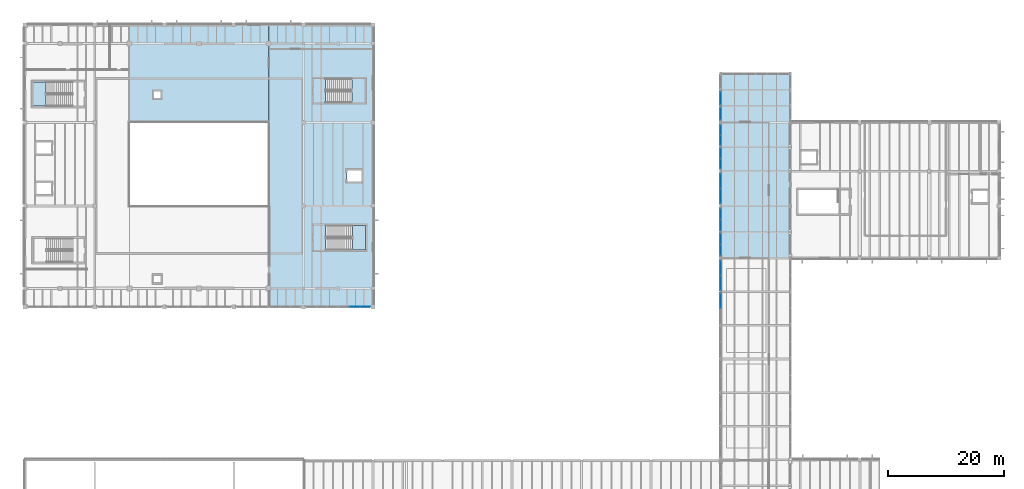
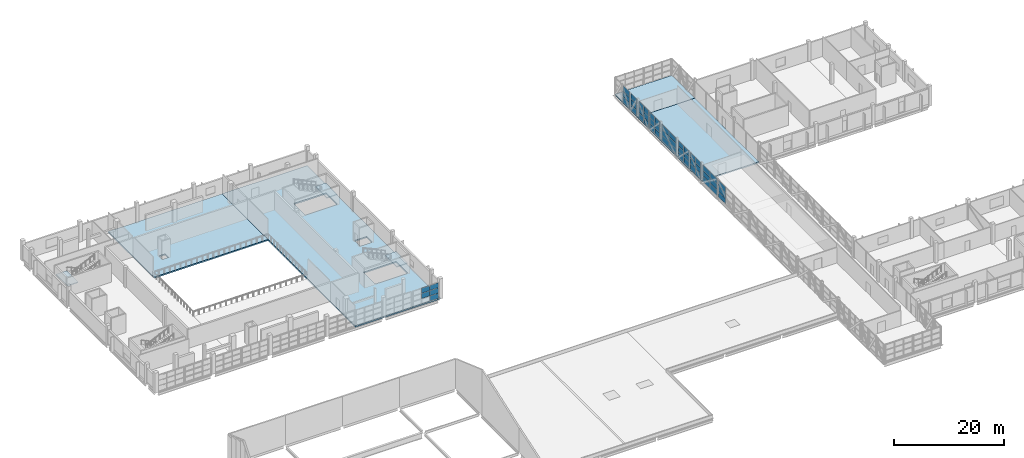
# One storey, part 42 of 63: 50 plates, 7 slabs, 13 elements without a shape of their own.
"""IFC4 building model written with IfcOpenShell, lengths in metres."""

from ifc_helpers import new_model, si_unit, direction, frame, origin, origin_2d, place, context, subcontext, project, spatial, polyline, rectangle, outline, extrude, material, layer, layer_set, type_object, element, aggregate, save


model = new_model("IFC4")

# Units and contexts
model_context = context("Model", 3, precision=1e-05, world=origin(), true_north=direction((0.0, 1.0)))
body_context = subcontext(model_context, "Body", "Model", "MODEL_VIEW")
ifc_project = project(units=[si_unit("LENGTHUNIT", "METRE"), si_unit("AREAUNIT", "SQUARE_METRE"), si_unit("VOLUMEUNIT", "CUBIC_METRE"), si_unit("PLANEANGLEUNIT", "RADIAN"), si_unit("MASSUNIT", "GRAM", prefix="KILO")], contexts=[model_context])

# Site, building, storey
site_placement = place(None, origin())
site = spatial("IfcSite", under=ifc_project, at=site_placement, CompositionType="ELEMENT")
building_placement = place(site_placement, origin())
building = spatial("IfcBuilding", under=site, at=building_placement, Name="Kelmvaro Bay Concert Hall", CompositionType="ELEMENT")
storey_placement = place(building_placement, frame((0.0, 0.0, 13.800048828125)))
storey = spatial("IfcBuildingStorey", under=building, at=storey_placement, Name="L03", CompositionType="ELEMENT", Elevation=13.800048828125)

# Slabs
ifc_material_1 = material(Name="Concrete C40/50", Category="concrete")
ifc_layer_1 = layer(ifc_material_1, 0.300048828125)
ifc_layer_set_1 = layer_set([ifc_layer_1], Name="Concrete C40/50")
slab_type_1 = type_object("IfcSlabType", Name="Auditorium Tier Structural Slab 300", PredefinedType="FLOOR", material=ifc_layer_set_1)
slab_1_placement = place(storey_placement, frame((0.0, 0.0, -0.300048828125)))
element("IfcSlab", 1, at=slab_1_placement, inside=storey, type_object=slab_type_1, Name="L03 Structural Slab V1-N", PredefinedType="FLOOR", context=body_context, shape_type="SweptSolid", body=[
    extrude(outline(polyline([(18.0, 97.199951171875), (42.0, 97.199951171875), (42.0, 114.0), (18.0, 114.0), (18.0, 97.199951171875)]), holes=[polyline([(22.199951171875, 101.39990234375), (23.39990234375, 101.39990234375), (23.39990234375, 102.60009765625), (22.199951171875, 102.60009765625), (22.199951171875, 101.39990234375)])]), origin(), (0.0, 0.0, 1.0), 0.300048828125),
])
slab_2_placement = place(storey_placement, frame((0.0, 0.0, -0.300048828125)))
element("IfcSlab", 2, at=slab_2_placement, inside=storey, type_object=slab_type_1, Name="L03 Structural Slab V1-E", PredefinedType="FLOOR", context=body_context, shape_type="SweptSolid", body=[
    extrude(outline(polyline([(42.0, 65.39990234375), (60.0, 65.39990234375), (60.0, 114.0), (42.0, 114.0), (42.0, 65.39990234375)]), holes=[polyline([(51.800537109375, 100.6005859375), (58.599365234375, 100.6005859375), (58.599365234375, 104.74951171875), (51.800537109375, 104.74951171875), (51.800537109375, 100.6005859375)]), polyline([(51.8505859375, 75.20068359375), (58.74951171875, 75.20068359375), (58.74951171875, 79.449462890625), (51.8505859375, 79.449462890625), (51.8505859375, 75.20068359375)]), polyline([(55.52490234375, 87.0), (58.074951171875, 87.0), (58.074951171875, 89.0), (55.52490234375, 89.0), (55.52490234375, 87.0)])]), origin(), (0.0, 0.0, 1.0), 0.300048828125),
])
ifc_material_2 = material(Name="Concrete C40/50", Category="concrete")
ifc_layer_2 = layer(ifc_material_2, 0.2900390625)
ifc_layer_set_2 = layer_set([ifc_layer_2], Name="Concrete C40/50")
slab_type_2 = type_object("IfcSlabType", Name="Bridge Composite Deck Slab 290", PredefinedType="FLOOR", material=ifc_layer_set_2)
slab_3_placement = place(storey_placement, frame((0.0, 0.0, -0.2900390625)))
element("IfcSlab", 3, at=slab_3_placement, inside=storey, type_object=slab_type_2, Name="L03 Structural Slab BRG-N1", PredefinedType="FLOOR", context=body_context, shape_type="SweptSolid", body=[
    extrude(outline(polyline([(120.0, 73.800048828125), (132.0, 73.800048828125), (132.0, 97.199951171875), (120.0, 97.199951171875), (120.0, 73.800048828125)])), origin(), (0.0, 0.0, 1.0), 0.2900390625),
])
slab_4_placement = place(storey_placement, frame((0.0, 0.0, -0.2900390625)))
element("IfcSlab", 4, at=slab_4_placement, inside=storey, type_object=slab_type_2, Name="L03 Structural Slab BRG-NC", PredefinedType="FLOOR", context=body_context, shape_type="SweptSolid", body=[
    extrude(outline(polyline([(120.0, 97.199951171875), (132.0, 97.199951171875), (132.0, 105.60009765625), (120.0, 105.60009765625), (120.0, 97.199951171875)])), origin(), (0.0, 0.0, 1.0), 0.2900390625),
])

# Curtain wall, plates
ifc_material_3 = material(Name="Anodised Aluminium and Low-E Insulated Glazing", Category="aluminium")
curtain_wall_type_1 = type_object("IfcCurtainWallType", Name="Rehearsal Bridge Truss Curtain Wall 4020", PredefinedType="USERDEFINED", material=ifc_material_3)
curtain_wall_1_placement = place(storey_placement, origin())
curtain_wall_1 = element("IfcCurtainWall", 5, at=curtain_wall_1_placement, inside=storey, type_object=curtain_wall_type_1, Name="Unitised Curtain Wall CW-BRG-W13", ObjectType="UNITISED GLAZING", PredefinedType="USERDEFINED")
ifc_material_4 = material(Name="Laminated Low-E Insulated Glass", Category="glass")
ifc_layer_3 = layer(ifc_material_4, 1.85009765625)
ifc_layer_set_3 = layer_set([ifc_layer_3], Name="Laminated Low-E Insulated Glass")
plate_type_1 = type_object("IfcPlateType", Name="Bridge Truss Acoustic Glazing Panel 44", PredefinedType="CURTAIN_PANEL", material=ifc_layer_set_3)
plate_1_placement = place(storey_placement, frame((120.0, 66.43994140625, 0.032470703125), z_axis=(0.0, 0.0, 1.0), x_axis=(0.0, 1.0, 0.0)))
plate_1 = element("IfcPlate", 6, at=plate_1_placement, type_object=plate_type_1, Name="CW-BRG-W13 Insulated Glazing Panel 02-1", PredefinedType="CURTAIN_PANEL", context=body_context, shape_type="SweptSolid", body=[
    extrude(rectangle(XDim=2.614990234375, YDim=0.0439453125, at=origin_2d()), origin(), (0.0, 0.0, 1.0), 1.20166015625),
])
plate_2_placement = place(storey_placement, frame((120.0, 66.43994140625, 1.299072265625), z_axis=(0.0, 0.0, 1.0), x_axis=(0.0, 1.0, 0.0)))
plate_2 = element("IfcPlate", 7, at=plate_2_placement, type_object=plate_type_1, Name="CW-BRG-W13 Insulated Glazing Panel 02-2", PredefinedType="CURTAIN_PANEL", context=body_context, shape_type="SweptSolid", body=[
    extrude(rectangle(XDim=2.614990234375, YDim=0.0439453125, at=origin_2d()), origin(), (0.0, 0.0, 1.0), 1.20166015625),
])
plate_3_placement = place(storey_placement, frame((120.0, 66.43994140625, 2.56591796875), z_axis=(0.0, 0.0, 1.0), x_axis=(0.0, 1.0, 0.0)))
plate_3 = element("IfcPlate", 8, at=plate_3_placement, type_object=plate_type_1, Name="CW-BRG-W13 Insulated Glazing Panel 02-3", PredefinedType="CURTAIN_PANEL", context=body_context, shape_type="SweptSolid", body=[
    extrude(rectangle(XDim=2.614990234375, YDim=0.0439453125, at=origin_2d()), origin(), (0.0, 0.0, 1.0), 1.20166015625),
])
aggregate(curtain_wall_1, [plate_1, plate_2, plate_3])

curtain_wall_2_placement = place(storey_placement, origin())
curtain_wall_2 = element("IfcCurtainWall", 9, at=curtain_wall_2_placement, inside=storey, type_object=curtain_wall_type_1, Name="Unitised Curtain Wall CW-BRG-W14", ObjectType="UNITISED GLAZING", PredefinedType="USERDEFINED")
plate_4_placement = place(storey_placement, frame((120.0, 69.510009765625, 0.032470703125), z_axis=(0.0, 0.0, 1.0), x_axis=(0.0, 1.0, 0.0)))
plate_4 = element("IfcPlate", 10, at=plate_4_placement, type_object=plate_type_1, Name="CW-BRG-W14 Insulated Glazing Panel 01-1", PredefinedType="CURTAIN_PANEL", context=body_context, shape_type="SweptSolid", body=[
    extrude(rectangle(XDim=2.514892578125, YDim=0.0439453125, at=origin_2d()), origin(), (0.0, 0.0, 1.0), 1.20166015625),
])
plate_5_placement = place(storey_placement, frame((120.0, 69.510009765625, 1.299072265625), z_axis=(0.0, 0.0, 1.0), x_axis=(0.0, 1.0, 0.0)))
plate_5 = element("IfcPlate", 11, at=plate_5_placement, type_object=plate_type_1, Name="CW-BRG-W14 Insulated Glazing Panel 01-2", PredefinedType="CURTAIN_PANEL", context=body_context, shape_type="SweptSolid", body=[
    extrude(rectangle(XDim=2.514892578125, YDim=0.0439453125, at=origin_2d()), origin(), (0.0, 0.0, 1.0), 1.20166015625),
])
plate_6_placement = place(storey_placement, frame((120.0, 69.510009765625, 2.56591796875), z_axis=(0.0, 0.0, 1.0), x_axis=(0.0, 1.0, 0.0)))
plate_6 = element("IfcPlate", 12, at=plate_6_placement, type_object=plate_type_1, Name="CW-BRG-W14 Insulated Glazing Panel 01-3", PredefinedType="CURTAIN_PANEL", context=body_context, shape_type="SweptSolid", body=[
    extrude(rectangle(XDim=2.514892578125, YDim=0.0439453125, at=origin_2d()), origin(), (0.0, 0.0, 1.0), 1.20166015625),
])
plate_7_placement = place(storey_placement, frame((120.0, 72.090087890625, 0.032470703125), z_axis=(0.0, 0.0, 1.0), x_axis=(0.0, 1.0, 0.0)))
plate_7 = element("IfcPlate", 13, at=plate_7_placement, type_object=plate_type_1, Name="CW-BRG-W14 Insulated Glazing Panel 02-1", PredefinedType="CURTAIN_PANEL", context=body_context, shape_type="SweptSolid", body=[
    extrude(rectangle(XDim=2.514892578125, YDim=0.0439453125, at=origin_2d()), origin(), (0.0, 0.0, 1.0), 1.20166015625),
])
plate_8_placement = place(storey_placement, frame((120.0, 72.090087890625, 1.299072265625), z_axis=(0.0, 0.0, 1.0), x_axis=(0.0, 1.0, 0.0)))
plate_8 = element("IfcPlate", 14, at=plate_8_placement, type_object=plate_type_1, Name="CW-BRG-W14 Insulated Glazing Panel 02-2", PredefinedType="CURTAIN_PANEL", context=body_context, shape_type="SweptSolid", body=[
    extrude(rectangle(XDim=2.514892578125, YDim=0.0439453125, at=origin_2d()), origin(), (0.0, 0.0, 1.0), 1.20166015625),
])
plate_9_placement = place(storey_placement, frame((120.0, 72.090087890625, 2.56591796875), z_axis=(0.0, 0.0, 1.0), x_axis=(0.0, 1.0, 0.0)))
plate_9 = element("IfcPlate", 15, at=plate_9_placement, type_object=plate_type_1, Name="CW-BRG-W14 Insulated Glazing Panel 02-3", PredefinedType="CURTAIN_PANEL", context=body_context, shape_type="SweptSolid", body=[
    extrude(rectangle(XDim=2.514892578125, YDim=0.0439453125, at=origin_2d()), origin(), (0.0, 0.0, 1.0), 1.20166015625),
])
aggregate(curtain_wall_2, [plate_4, plate_5, plate_6, plate_7, plate_8, plate_9])

curtain_wall_3_placement = place(storey_placement, origin())
curtain_wall_3 = element("IfcCurtainWall", 16, at=curtain_wall_3_placement, inside=storey, type_object=curtain_wall_type_1, Name="Unitised Curtain Wall CW-BRG-W15", ObjectType="UNITISED GLAZING", PredefinedType="USERDEFINED")
plate_10_placement = place(storey_placement, frame((120.0, 75.18505859375, 0.032470703125), z_axis=(0.0, 0.0, 1.0), x_axis=(0.0, 1.0, 0.0)))
plate_10 = element("IfcPlate", 17, at=plate_10_placement, type_object=plate_type_1, Name="CW-BRG-W15 Insulated Glazing Panel 01-1", PredefinedType="CURTAIN_PANEL", context=body_context, shape_type="SweptSolid", body=[
    extrude(rectangle(XDim=1.864990234375, YDim=0.0439453125, at=origin_2d()), origin(), (0.0, 0.0, 1.0), 1.20166015625),
])
plate_11_placement = place(storey_placement, frame((120.0, 75.18505859375, 1.299072265625), z_axis=(0.0, 0.0, 1.0), x_axis=(0.0, 1.0, 0.0)))
plate_11 = element("IfcPlate", 18, at=plate_11_placement, type_object=plate_type_1, Name="CW-BRG-W15 Insulated Glazing Panel 01-2", PredefinedType="CURTAIN_PANEL", context=body_context, shape_type="SweptSolid", body=[
    extrude(rectangle(XDim=1.864990234375, YDim=0.0439453125, at=origin_2d()), origin(), (0.0, 0.0, 1.0), 1.20166015625),
])
plate_12_placement = place(storey_placement, frame((120.0, 75.18505859375, 2.56591796875), z_axis=(0.0, 0.0, 1.0), x_axis=(0.0, 1.0, 0.0)))
plate_12 = element("IfcPlate", 19, at=plate_12_placement, type_object=plate_type_1, Name="CW-BRG-W15 Insulated Glazing Panel 01-3", PredefinedType="CURTAIN_PANEL", context=body_context, shape_type="SweptSolid", body=[
    extrude(rectangle(XDim=1.864990234375, YDim=0.0439453125, at=origin_2d()), origin(), (0.0, 0.0, 1.0), 1.20166015625),
])
plate_13_placement = place(storey_placement, frame((120.0, 77.114990234375, 0.032470703125), z_axis=(0.0, 0.0, 1.0), x_axis=(0.0, 1.0, 0.0)))
plate_13 = element("IfcPlate", 20, at=plate_13_placement, type_object=plate_type_1, Name="CW-BRG-W15 Insulated Glazing Panel 02-1", PredefinedType="CURTAIN_PANEL", context=body_context, shape_type="SweptSolid", body=[
    extrude(rectangle(XDim=1.864990234375, YDim=0.0439453125, at=origin_2d()), origin(), (0.0, 0.0, 1.0), 1.20166015625),
])
plate_14_placement = place(storey_placement, frame((120.0, 77.114990234375, 1.299072265625), z_axis=(0.0, 0.0, 1.0), x_axis=(0.0, 1.0, 0.0)))
plate_14 = element("IfcPlate", 21, at=plate_14_placement, type_object=plate_type_1, Name="CW-BRG-W15 Insulated Glazing Panel 02-2", PredefinedType="CURTAIN_PANEL", context=body_context, shape_type="SweptSolid", body=[
    extrude(rectangle(XDim=1.864990234375, YDim=0.0439453125, at=origin_2d()), origin(), (0.0, 0.0, 1.0), 1.20166015625),
])
plate_15_placement = place(storey_placement, frame((120.0, 77.114990234375, 2.56591796875), z_axis=(0.0, 0.0, 1.0), x_axis=(0.0, 1.0, 0.0)))
plate_15 = element("IfcPlate", 22, at=plate_15_placement, type_object=plate_type_1, Name="CW-BRG-W15 Insulated Glazing Panel 02-3", PredefinedType="CURTAIN_PANEL", context=body_context, shape_type="SweptSolid", body=[
    extrude(rectangle(XDim=1.864990234375, YDim=0.0439453125, at=origin_2d()), origin(), (0.0, 0.0, 1.0), 1.20166015625),
])
aggregate(curtain_wall_3, [plate_10, plate_11, plate_12, plate_13, plate_14, plate_15])

curtain_wall_4_placement = place(storey_placement, origin())
curtain_wall_4 = element("IfcCurtainWall", 23, at=curtain_wall_4_placement, inside=storey, type_object=curtain_wall_type_1, Name="Unitised Curtain Wall CW-BRG-W16", ObjectType="UNITISED GLAZING", PredefinedType="USERDEFINED")
plate_16_placement = place(storey_placement, frame((120.0, 79.485107421875, 0.032470703125), z_axis=(0.0, 0.0, 1.0), x_axis=(0.0, 1.0, 0.0)))
plate_16 = element("IfcPlate", 24, at=plate_16_placement, type_object=plate_type_1, Name="CW-BRG-W16 Insulated Glazing Panel 01-1", PredefinedType="CURTAIN_PANEL", context=body_context, shape_type="SweptSolid", body=[
    extrude(rectangle(XDim=1.864990234375, YDim=0.0439453125, at=origin_2d()), origin(), (0.0, 0.0, 1.0), 1.20166015625),
])
plate_17_placement = place(storey_placement, frame((120.0, 79.485107421875, 1.299072265625), z_axis=(0.0, 0.0, 1.0), x_axis=(0.0, 1.0, 0.0)))
plate_17 = element("IfcPlate", 25, at=plate_17_placement, type_object=plate_type_1, Name="CW-BRG-W16 Insulated Glazing Panel 01-2", PredefinedType="CURTAIN_PANEL", context=body_context, shape_type="SweptSolid", body=[
    extrude(rectangle(XDim=1.864990234375, YDim=0.0439453125, at=origin_2d()), origin(), (0.0, 0.0, 1.0), 1.20166015625),
])
plate_18_placement = place(storey_placement, frame((120.0, 79.485107421875, 2.56591796875), z_axis=(0.0, 0.0, 1.0), x_axis=(0.0, 1.0, 0.0)))
plate_18 = element("IfcPlate", 26, at=plate_18_placement, type_object=plate_type_1, Name="CW-BRG-W16 Insulated Glazing Panel 01-3", PredefinedType="CURTAIN_PANEL", context=body_context, shape_type="SweptSolid", body=[
    extrude(rectangle(XDim=1.864990234375, YDim=0.0439453125, at=origin_2d()), origin(), (0.0, 0.0, 1.0), 1.20166015625),
])
plate_19_placement = place(storey_placement, frame((120.0, 81.4150390625, 0.032470703125), z_axis=(0.0, 0.0, 1.0), x_axis=(0.0, 1.0, 0.0)))
plate_19 = element("IfcPlate", 27, at=plate_19_placement, type_object=plate_type_1, Name="CW-BRG-W16 Insulated Glazing Panel 02-1", PredefinedType="CURTAIN_PANEL", context=body_context, shape_type="SweptSolid", body=[
    extrude(rectangle(XDim=1.864990234375, YDim=0.0439453125, at=origin_2d()), origin(), (0.0, 0.0, 1.0), 1.20166015625),
])
plate_20_placement = place(storey_placement, frame((120.0, 81.4150390625, 1.299072265625), z_axis=(0.0, 0.0, 1.0), x_axis=(0.0, 1.0, 0.0)))
plate_20 = element("IfcPlate", 28, at=plate_20_placement, type_object=plate_type_1, Name="CW-BRG-W16 Insulated Glazing Panel 02-2", PredefinedType="CURTAIN_PANEL", context=body_context, shape_type="SweptSolid", body=[
    extrude(rectangle(XDim=1.864990234375, YDim=0.0439453125, at=origin_2d()), origin(), (0.0, 0.0, 1.0), 1.20166015625),
])
plate_21_placement = place(storey_placement, frame((120.0, 81.4150390625, 2.56591796875), z_axis=(0.0, 0.0, 1.0), x_axis=(0.0, 1.0, 0.0)))
plate_21 = element("IfcPlate", 29, at=plate_21_placement, type_object=plate_type_1, Name="CW-BRG-W16 Insulated Glazing Panel 02-3", PredefinedType="CURTAIN_PANEL", context=body_context, shape_type="SweptSolid", body=[
    extrude(rectangle(XDim=1.864990234375, YDim=0.0439453125, at=origin_2d()), origin(), (0.0, 0.0, 1.0), 1.20166015625),
])
aggregate(curtain_wall_4, [plate_16, plate_17, plate_18, plate_19, plate_20, plate_21])

curtain_wall_5_placement = place(storey_placement, origin())
curtain_wall_5 = element("IfcCurtainWall", 30, at=curtain_wall_5_placement, inside=storey, type_object=curtain_wall_type_1, Name="Unitised Curtain Wall CW-BRG-W17", ObjectType="UNITISED GLAZING", PredefinedType="USERDEFINED")
plate_22_placement = place(storey_placement, frame((120.0, 84.510009765625, 0.032470703125), z_axis=(0.0, 0.0, 1.0), x_axis=(0.0, 1.0, 0.0)))
plate_22 = element("IfcPlate", 31, at=plate_22_placement, type_object=plate_type_1, Name="CW-BRG-W17 Insulated Glazing Panel 01-1", PredefinedType="CURTAIN_PANEL", context=body_context, shape_type="SweptSolid", body=[
    extrude(rectangle(XDim=2.514892578125, YDim=0.0439453125, at=origin_2d()), origin(), (0.0, 0.0, 1.0), 1.20166015625),
])
plate_23_placement = place(storey_placement, frame((120.0, 84.510009765625, 1.299072265625), z_axis=(0.0, 0.0, 1.0), x_axis=(0.0, 1.0, 0.0)))
plate_23 = element("IfcPlate", 32, at=plate_23_placement, type_object=plate_type_1, Name="CW-BRG-W17 Insulated Glazing Panel 01-2", PredefinedType="CURTAIN_PANEL", context=body_context, shape_type="SweptSolid", body=[
    extrude(rectangle(XDim=2.514892578125, YDim=0.0439453125, at=origin_2d()), origin(), (0.0, 0.0, 1.0), 1.20166015625),
])
plate_24_placement = place(storey_placement, frame((120.0, 84.510009765625, 2.56591796875), z_axis=(0.0, 0.0, 1.0), x_axis=(0.0, 1.0, 0.0)))
plate_24 = element("IfcPlate", 33, at=plate_24_placement, type_object=plate_type_1, Name="CW-BRG-W17 Insulated Glazing Panel 01-3", PredefinedType="CURTAIN_PANEL", context=body_context, shape_type="SweptSolid", body=[
    extrude(rectangle(XDim=2.514892578125, YDim=0.0439453125, at=origin_2d()), origin(), (0.0, 0.0, 1.0), 1.20166015625),
])
plate_25_placement = place(storey_placement, frame((120.0, 87.090087890625, 0.032470703125), z_axis=(0.0, 0.0, 1.0), x_axis=(0.0, 1.0, 0.0)))
plate_25 = element("IfcPlate", 34, at=plate_25_placement, type_object=plate_type_1, Name="CW-BRG-W17 Insulated Glazing Panel 02-1", PredefinedType="CURTAIN_PANEL", context=body_context, shape_type="SweptSolid", body=[
    extrude(rectangle(XDim=2.514892578125, YDim=0.0439453125, at=origin_2d()), origin(), (0.0, 0.0, 1.0), 1.20166015625),
])
plate_26_placement = place(storey_placement, frame((120.0, 87.090087890625, 1.299072265625), z_axis=(0.0, 0.0, 1.0), x_axis=(0.0, 1.0, 0.0)))
plate_26 = element("IfcPlate", 35, at=plate_26_placement, type_object=plate_type_1, Name="CW-BRG-W17 Insulated Glazing Panel 02-2", PredefinedType="CURTAIN_PANEL", context=body_context, shape_type="SweptSolid", body=[
    extrude(rectangle(XDim=2.514892578125, YDim=0.0439453125, at=origin_2d()), origin(), (0.0, 0.0, 1.0), 1.20166015625),
])
plate_27_placement = place(storey_placement, frame((120.0, 87.090087890625, 2.56591796875), z_axis=(0.0, 0.0, 1.0), x_axis=(0.0, 1.0, 0.0)))
plate_27 = element("IfcPlate", 36, at=plate_27_placement, type_object=plate_type_1, Name="CW-BRG-W17 Insulated Glazing Panel 02-3", PredefinedType="CURTAIN_PANEL", context=body_context, shape_type="SweptSolid", body=[
    extrude(rectangle(XDim=2.514892578125, YDim=0.0439453125, at=origin_2d()), origin(), (0.0, 0.0, 1.0), 1.20166015625),
])
aggregate(curtain_wall_5, [plate_22, plate_23, plate_24, plate_25, plate_26, plate_27])

curtain_wall_6_placement = place(storey_placement, origin())
curtain_wall_6 = element("IfcCurtainWall", 37, at=curtain_wall_6_placement, inside=storey, type_object=curtain_wall_type_1, Name="Unitised Curtain Wall CW-BRG-W18", ObjectType="UNITISED GLAZING", PredefinedType="USERDEFINED")
plate_28_placement = place(storey_placement, frame((120.0, 90.110107421875, 0.032470703125), z_axis=(0.0, 0.0, 1.0), x_axis=(0.0, 1.0, 0.0)))
plate_28 = element("IfcPlate", 38, at=plate_28_placement, type_object=plate_type_1, Name="CW-BRG-W18 Insulated Glazing Panel 01-1", PredefinedType="CURTAIN_PANEL", context=body_context, shape_type="SweptSolid", body=[
    extrude(rectangle(XDim=1.715087890625, YDim=0.0439453125, at=origin_2d()), origin(), (0.0, 0.0, 1.0), 1.20166015625),
])
plate_29_placement = place(storey_placement, frame((120.0, 90.110107421875, 1.299072265625), z_axis=(0.0, 0.0, 1.0), x_axis=(0.0, 1.0, 0.0)))
plate_29 = element("IfcPlate", 39, at=plate_29_placement, type_object=plate_type_1, Name="CW-BRG-W18 Insulated Glazing Panel 01-2", PredefinedType="CURTAIN_PANEL", context=body_context, shape_type="SweptSolid", body=[
    extrude(rectangle(XDim=1.715087890625, YDim=0.0439453125, at=origin_2d()), origin(), (0.0, 0.0, 1.0), 1.20166015625),
])
plate_30_placement = place(storey_placement, frame((120.0, 90.110107421875, 2.56591796875), z_axis=(0.0, 0.0, 1.0), x_axis=(0.0, 1.0, 0.0)))
plate_30 = element("IfcPlate", 40, at=plate_30_placement, type_object=plate_type_1, Name="CW-BRG-W18 Insulated Glazing Panel 01-3", PredefinedType="CURTAIN_PANEL", context=body_context, shape_type="SweptSolid", body=[
    extrude(rectangle(XDim=1.715087890625, YDim=0.0439453125, at=origin_2d()), origin(), (0.0, 0.0, 1.0), 1.20166015625),
])
plate_31_placement = place(storey_placement, frame((120.0, 91.889892578125, 0.032470703125), z_axis=(0.0, 0.0, 1.0), x_axis=(0.0, 1.0, 0.0)))
plate_31 = element("IfcPlate", 41, at=plate_31_placement, type_object=plate_type_1, Name="CW-BRG-W18 Insulated Glazing Panel 02-1", PredefinedType="CURTAIN_PANEL", context=body_context, shape_type="SweptSolid", body=[
    extrude(rectangle(XDim=1.715087890625, YDim=0.0439453125, at=origin_2d()), origin(), (0.0, 0.0, 1.0), 1.20166015625),
])
plate_32_placement = place(storey_placement, frame((120.0, 91.889892578125, 1.299072265625), z_axis=(0.0, 0.0, 1.0), x_axis=(0.0, 1.0, 0.0)))
plate_32 = element("IfcPlate", 42, at=plate_32_placement, type_object=plate_type_1, Name="CW-BRG-W18 Insulated Glazing Panel 02-2", PredefinedType="CURTAIN_PANEL", context=body_context, shape_type="SweptSolid", body=[
    extrude(rectangle(XDim=1.715087890625, YDim=0.0439453125, at=origin_2d()), origin(), (0.0, 0.0, 1.0), 1.20166015625),
])
plate_33_placement = place(storey_placement, frame((120.0, 91.889892578125, 2.56591796875), z_axis=(0.0, 0.0, 1.0), x_axis=(0.0, 1.0, 0.0)))
plate_33 = element("IfcPlate", 43, at=plate_33_placement, type_object=plate_type_1, Name="CW-BRG-W18 Insulated Glazing Panel 02-3", PredefinedType="CURTAIN_PANEL", context=body_context, shape_type="SweptSolid", body=[
    extrude(rectangle(XDim=1.715087890625, YDim=0.0439453125, at=origin_2d()), origin(), (0.0, 0.0, 1.0), 1.20166015625),
])
aggregate(curtain_wall_6, [plate_28, plate_29, plate_30, plate_31, plate_32, plate_33])

curtain_wall_7_placement = place(storey_placement, origin())
curtain_wall_7 = element("IfcCurtainWall", 44, at=curtain_wall_7_placement, inside=storey, type_object=curtain_wall_type_1, Name="Unitised Curtain Wall CW-BRG-W19", ObjectType="UNITISED GLAZING", PredefinedType="USERDEFINED")
plate_34_placement = place(storey_placement, frame((120.0, 94.110107421875, 0.032470703125), z_axis=(0.0, 0.0, 1.0), x_axis=(0.0, 1.0, 0.0)))
plate_34 = element("IfcPlate", 45, at=plate_34_placement, type_object=plate_type_1, Name="CW-BRG-W19 Insulated Glazing Panel 01-1", PredefinedType="CURTAIN_PANEL", context=body_context, shape_type="SweptSolid", body=[
    extrude(rectangle(XDim=1.715087890625, YDim=0.0439453125, at=origin_2d()), origin(), (0.0, 0.0, 1.0), 1.20166015625),
])
plate_35_placement = place(storey_placement, frame((120.0, 94.110107421875, 1.299072265625), z_axis=(0.0, 0.0, 1.0), x_axis=(0.0, 1.0, 0.0)))
plate_35 = element("IfcPlate", 46, at=plate_35_placement, type_object=plate_type_1, Name="CW-BRG-W19 Insulated Glazing Panel 01-2", PredefinedType="CURTAIN_PANEL", context=body_context, shape_type="SweptSolid", body=[
    extrude(rectangle(XDim=1.715087890625, YDim=0.0439453125, at=origin_2d()), origin(), (0.0, 0.0, 1.0), 1.20166015625),
])
plate_36_placement = place(storey_placement, frame((120.0, 94.110107421875, 2.56591796875), z_axis=(0.0, 0.0, 1.0), x_axis=(0.0, 1.0, 0.0)))
plate_36 = element("IfcPlate", 47, at=plate_36_placement, type_object=plate_type_1, Name="CW-BRG-W19 Insulated Glazing Panel 01-3", PredefinedType="CURTAIN_PANEL", context=body_context, shape_type="SweptSolid", body=[
    extrude(rectangle(XDim=1.715087890625, YDim=0.0439453125, at=origin_2d()), origin(), (0.0, 0.0, 1.0), 1.20166015625),
])
plate_37_placement = place(storey_placement, frame((120.0, 95.889892578125, 0.032470703125), z_axis=(0.0, 0.0, 1.0), x_axis=(0.0, 1.0, 0.0)))
plate_37 = element("IfcPlate", 48, at=plate_37_placement, type_object=plate_type_1, Name="CW-BRG-W19 Insulated Glazing Panel 02-1", PredefinedType="CURTAIN_PANEL", context=body_context, shape_type="SweptSolid", body=[
    extrude(rectangle(XDim=1.715087890625, YDim=0.0439453125, at=origin_2d()), origin(), (0.0, 0.0, 1.0), 1.20166015625),
])
plate_38_placement = place(storey_placement, frame((120.0, 95.889892578125, 1.299072265625), z_axis=(0.0, 0.0, 1.0), x_axis=(0.0, 1.0, 0.0)))
plate_38 = element("IfcPlate", 49, at=plate_38_placement, type_object=plate_type_1, Name="CW-BRG-W19 Insulated Glazing Panel 02-2", PredefinedType="CURTAIN_PANEL", context=body_context, shape_type="SweptSolid", body=[
    extrude(rectangle(XDim=1.715087890625, YDim=0.0439453125, at=origin_2d()), origin(), (0.0, 0.0, 1.0), 1.20166015625),
])
plate_39_placement = place(storey_placement, frame((120.0, 95.889892578125, 2.56591796875), z_axis=(0.0, 0.0, 1.0), x_axis=(0.0, 1.0, 0.0)))
plate_39 = element("IfcPlate", 50, at=plate_39_placement, type_object=plate_type_1, Name="CW-BRG-W19 Insulated Glazing Panel 02-3", PredefinedType="CURTAIN_PANEL", context=body_context, shape_type="SweptSolid", body=[
    extrude(rectangle(XDim=1.715087890625, YDim=0.0439453125, at=origin_2d()), origin(), (0.0, 0.0, 1.0), 1.20166015625),
])
aggregate(curtain_wall_7, [plate_34, plate_35, plate_36, plate_37, plate_38, plate_39])

ifc_material_5 = material(Name="Anodised Aluminium and Low-E Insulated Glazing", Category="aluminium")
curtain_wall_type_2 = type_object("IfcCurtainWallType", Name="Bridge Cantilever Observation Glazing 3980", PredefinedType="USERDEFINED", material=ifc_material_5)
curtain_wall_8_placement = place(storey_placement, origin())
curtain_wall_8 = element("IfcCurtainWall", 51, at=curtain_wall_8_placement, inside=storey, type_object=curtain_wall_type_2, Name="Unitised Curtain Wall CW-BRG-W20", ObjectType="UNITISED GLAZING", PredefinedType="USERDEFINED")
plate_40_placement = place(storey_placement, frame((120.0, 98.699951171875, 0.032470703125), z_axis=(0.0, 0.0, 1.0), x_axis=(0.0, 1.0, 0.0)))
plate_40 = element("IfcPlate", 52, at=plate_40_placement, type_object=plate_type_1, Name="CW-BRG-W20 Insulated Glazing Panel 01-1", PredefinedType="CURTAIN_PANEL", context=body_context, shape_type="SweptSolid", body=[
    extrude(rectangle(XDim=2.094970703125, YDim=0.0439453125, at=origin_2d()), origin(), (0.0, 0.0, 1.0), 1.20166015625),
])
plate_41_placement = place(storey_placement, frame((120.0, 98.699951171875, 1.299072265625), z_axis=(0.0, 0.0, 1.0), x_axis=(0.0, 1.0, 0.0)))
plate_41 = element("IfcPlate", 53, at=plate_41_placement, type_object=plate_type_1, Name="CW-BRG-W20 Insulated Glazing Panel 01-2", PredefinedType="CURTAIN_PANEL", context=body_context, shape_type="SweptSolid", body=[
    extrude(rectangle(XDim=2.094970703125, YDim=0.0439453125, at=origin_2d()), origin(), (0.0, 0.0, 1.0), 1.20166015625),
])
plate_42_placement = place(storey_placement, frame((120.0, 98.699951171875, 2.56591796875), z_axis=(0.0, 0.0, 1.0), x_axis=(0.0, 1.0, 0.0)))
plate_42 = element("IfcPlate", 54, at=plate_42_placement, type_object=plate_type_1, Name="CW-BRG-W20 Insulated Glazing Panel 01-3", PredefinedType="CURTAIN_PANEL", context=body_context, shape_type="SweptSolid", body=[
    extrude(rectangle(XDim=2.094970703125, YDim=0.0439453125, at=origin_2d()), origin(), (0.0, 0.0, 1.0), 1.20166015625),
])
aggregate(curtain_wall_8, [plate_40, plate_41, plate_42])

curtain_wall_9_placement = place(storey_placement, origin())
curtain_wall_9 = element("IfcCurtainWall", 55, at=curtain_wall_9_placement, inside=storey, type_object=curtain_wall_type_2, Name="Unitised Curtain Wall CW-BRG-W21", ObjectType="UNITISED GLAZING", PredefinedType="USERDEFINED")
plate_43_placement = place(storey_placement, frame((120.0, 101.39990234375, 0.032470703125), z_axis=(0.0, 0.0, 1.0), x_axis=(0.0, 1.0, 0.0)))
plate_43 = element("IfcPlate", 56, at=plate_43_placement, type_object=plate_type_1, Name="CW-BRG-W21 Insulated Glazing Panel 01-1", PredefinedType="CURTAIN_PANEL", context=body_context, shape_type="SweptSolid", body=[
    extrude(rectangle(XDim=2.294921875, YDim=0.0439453125, at=origin_2d()), origin(), (0.0, 0.0, 1.0), 1.20166015625),
])
plate_44_placement = place(storey_placement, frame((120.0, 101.39990234375, 1.299072265625), z_axis=(0.0, 0.0, 1.0), x_axis=(0.0, 1.0, 0.0)))
plate_44 = element("IfcPlate", 57, at=plate_44_placement, type_object=plate_type_1, Name="CW-BRG-W21 Insulated Glazing Panel 01-2", PredefinedType="CURTAIN_PANEL", context=body_context, shape_type="SweptSolid", body=[
    extrude(rectangle(XDim=2.294921875, YDim=0.0439453125, at=origin_2d()), origin(), (0.0, 0.0, 1.0), 1.20166015625),
])
plate_45_placement = place(storey_placement, frame((120.0, 101.39990234375, 2.56591796875), z_axis=(0.0, 0.0, 1.0), x_axis=(0.0, 1.0, 0.0)))
plate_45 = element("IfcPlate", 58, at=plate_45_placement, type_object=plate_type_1, Name="CW-BRG-W21 Insulated Glazing Panel 01-3", PredefinedType="CURTAIN_PANEL", context=body_context, shape_type="SweptSolid", body=[
    extrude(rectangle(XDim=2.294921875, YDim=0.0439453125, at=origin_2d()), origin(), (0.0, 0.0, 1.0), 1.20166015625),
])
aggregate(curtain_wall_9, [plate_43, plate_44, plate_45])

# Stair, slab
ifc_material_6 = material(Name="Concrete C40/50", Category="concrete")
stair_type_1 = type_object("IfcStairType", Name="Core Dogleg Exit Stair 2000", PredefinedType="USERDEFINED", material=ifc_material_6)
stair_1_placement = place(storey_placement, origin())
stair_1 = element("IfcStair", 59, at=stair_1_placement, inside=storey, type_object=stair_type_1, Name="L03 Exit Stair ST-02", ObjectType="TWO_RETURN_STAIR", PredefinedType="USERDEFINED")
ifc_material_7 = material(Name="Concrete C40/50", Category="concrete")
ifc_layer_4 = layer(ifc_material_7, 0.199951171875)
ifc_layer_set_4 = layer_set([ifc_layer_4], Name="Concrete C40/50")
slab_type_3 = type_object("IfcSlabType", Name="Core Stair Half-Landing Slab 200", PredefinedType="LANDING", material=ifc_layer_set_4)
slab_5_placement = place(storey_placement, frame((0.0, 0.0, 2.050048828125)))
slab_5 = element("IfcSlab", 60, at=slab_5_placement, type_object=slab_type_3, Name="ST-02 landing 1", PredefinedType="LANDING", context=body_context, shape_type="SweptSolid", body=[
    extrude(outline(polyline([(56.35009765625, 100.60009765625), (58.60009765625, 100.60009765625), (58.60009765625, 104.75), (56.35009765625, 104.75), (56.35009765625, 100.60009765625)])), origin(), (0.0, 0.0, 1.0), 0.199951171875),
])
aggregate(stair_1, [slab_5])

ifc_material_8 = material(Name="Concrete C40/50", Category="concrete")
stair_type_2 = type_object("IfcStairType", Name="Core Dogleg Exit Stair 2020", PredefinedType="USERDEFINED", material=ifc_material_8)
stair_2_placement = place(storey_placement, origin())
stair_2 = element("IfcStair", 61, at=stair_2_placement, inside=storey, type_object=stair_type_2, Name="L03 Exit Stair ST-03", ObjectType="TWO_RETURN_STAIR", PredefinedType="USERDEFINED")
slab_6_placement = place(storey_placement, frame((0.0, 0.0, 2.050048828125)))
slab_6 = element("IfcSlab", 62, at=slab_6_placement, type_object=slab_type_3, Name="ST-03 landing 1", PredefinedType="LANDING", context=body_context, shape_type="SweptSolid", body=[
    extrude(outline(polyline([(3.60400390625, 104.199951171875), (1.35009765625, 104.199951171875), (1.35009765625, 100.010009765625), (3.60400390625, 100.010009765625), (3.60400390625, 104.199951171875)])), origin(), (0.0, 0.0, 1.0), 0.199951171875),
])
aggregate(stair_2, [slab_6])

ifc_material_9 = material(Name="Concrete C40/50", Category="concrete")
stair_type_3 = type_object("IfcStairType", Name="Core Dogleg Exit Stair 2050", PredefinedType="USERDEFINED", material=ifc_material_9)
stair_3_placement = place(storey_placement, origin())
stair_3 = element("IfcStair", 63, at=stair_3_placement, inside=storey, type_object=stair_type_3, Name="L03 Exit Stair ST-04", ObjectType="TWO_RETURN_STAIR", PredefinedType="USERDEFINED")
slab_7_placement = place(storey_placement, frame((0.0, 0.0, 2.050048828125)))
slab_7 = element("IfcSlab", 64, at=slab_7_placement, type_object=slab_type_3, Name="ST-04 landing 1", PredefinedType="LANDING", context=body_context, shape_type="SweptSolid", body=[
    extrude(outline(polyline([(56.465087890625, 75.199951171875), (58.75, 75.199951171875), (58.75, 79.449951171875), (56.465087890625, 79.449951171875), (56.465087890625, 75.199951171875)])), origin(), (0.0, 0.0, 1.0), 0.199951171875),
])
aggregate(stair_3, [slab_7])

# Curtain wall, plates
ifc_material_10 = material(Name="Anodised Aluminium and Low-E Insulated Glazing", Category="aluminium")
curtain_wall_type_3 = type_object("IfcCurtainWallType", Name="Symphony South Gallery Curtain Wall 3920", PredefinedType="USERDEFINED", material=ifc_material_10)
curtain_wall_10_placement = place(storey_placement, origin())
curtain_wall_10 = element("IfcCurtainWall", 65, at=curtain_wall_10_placement, inside=storey, type_object=curtain_wall_type_3, Name="Unitised Curtain Wall CW-L03-029", ObjectType="UNITISED GLAZING", PredefinedType="USERDEFINED")
ifc_material_11 = material(Name="Laminated Low-E Insulated Glass", Category="glass")
ifc_layer_5 = layer(ifc_material_11, 1.85009765625)
ifc_layer_set_5 = layer_set([ifc_layer_5], Name="Laminated Low-E Insulated Glass")
plate_type_2 = type_object("IfcPlateType", Name="Symphony Foyer Triple Acoustic Glass 60", PredefinedType="CURTAIN_PANEL", material=ifc_layer_set_5)
plate_46_placement = place(storey_placement, frame((58.6650390625, 65.39990234375, 0.0322265625), z_axis=(0.0, 0.0, 1.0), x_axis=(-1.0, 0.0, 0.0)))
plate_46 = element("IfcPlate", 66, at=plate_46_placement, type_object=plate_type_2, Name="CW-L03-029 Insulated Glazing Panel 01-1", PredefinedType="CURTAIN_PANEL", context=body_context, shape_type="SweptSolid", body=[
    extrude(rectangle(XDim=1.7451171875, YDim=0.06005859375, at=origin_2d()), origin(), (0.0, 0.0, 1.0), 1.124755859375),
])
plate_47_placement = place(storey_placement, frame((58.6650390625, 65.39990234375, 1.22216796875), z_axis=(0.0, 0.0, 1.0), x_axis=(-1.0, 0.0, 0.0)))
plate_47 = element("IfcPlate", 67, at=plate_47_placement, type_object=plate_type_2, Name="CW-L03-029 Insulated Glazing Panel 01-2", PredefinedType="CURTAIN_PANEL", context=body_context, shape_type="SweptSolid", body=[
    extrude(rectangle(XDim=1.7451171875, YDim=0.06005859375, at=origin_2d()), origin(), (0.0, 0.0, 1.0), 1.12451171875),
])
plate_48_placement = place(storey_placement, frame((58.6650390625, 65.39990234375, 2.41162109375), z_axis=(0.0, 0.0, 1.0), x_axis=(-1.0, 0.0, 0.0)))
plate_48 = element("IfcPlate", 68, at=plate_48_placement, type_object=plate_type_2, Name="CW-L03-029 Insulated Glazing Panel 01-3", PredefinedType="CURTAIN_PANEL", context=body_context, shape_type="SweptSolid", body=[
    extrude(rectangle(XDim=1.7451171875, YDim=0.06005859375, at=origin_2d()), origin(), (0.0, 0.0, 1.0), 1.124755859375),
])
plate_49_placement = place(storey_placement, frame((56.85498046875, 65.39990234375, 1.22216796875), z_axis=(0.0, 0.0, 1.0), x_axis=(-1.0, 0.0, 0.0)))
plate_49 = element("IfcPlate", 69, at=plate_49_placement, type_object=plate_type_2, Name="CW-L03-029 Insulated Glazing Panel 02-2", PredefinedType="CURTAIN_PANEL", context=body_context, shape_type="SweptSolid", body=[
    extrude(rectangle(XDim=1.7451171875, YDim=0.06005859375, at=origin_2d()), origin(), (0.0, 0.0, 1.0), 1.12451171875),
])
plate_50_placement = place(storey_placement, frame((56.85498046875, 65.39990234375, 2.41162109375), z_axis=(0.0, 0.0, 1.0), x_axis=(-1.0, 0.0, 0.0)))
plate_50 = element("IfcPlate", 70, at=plate_50_placement, type_object=plate_type_2, Name="CW-L03-029 Insulated Glazing Panel 02-3", PredefinedType="CURTAIN_PANEL", context=body_context, shape_type="SweptSolid", body=[
    extrude(rectangle(XDim=1.7451171875, YDim=0.06005859375, at=origin_2d()), origin(), (0.0, 0.0, 1.0), 1.124755859375),
])
aggregate(curtain_wall_10, [plate_46, plate_47, plate_48, plate_49, plate_50])

save(model, "model.ifc")
